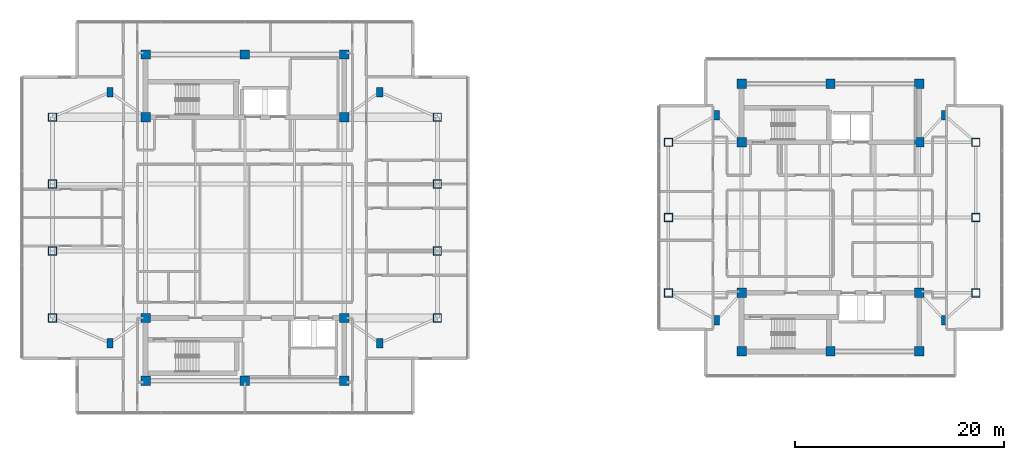
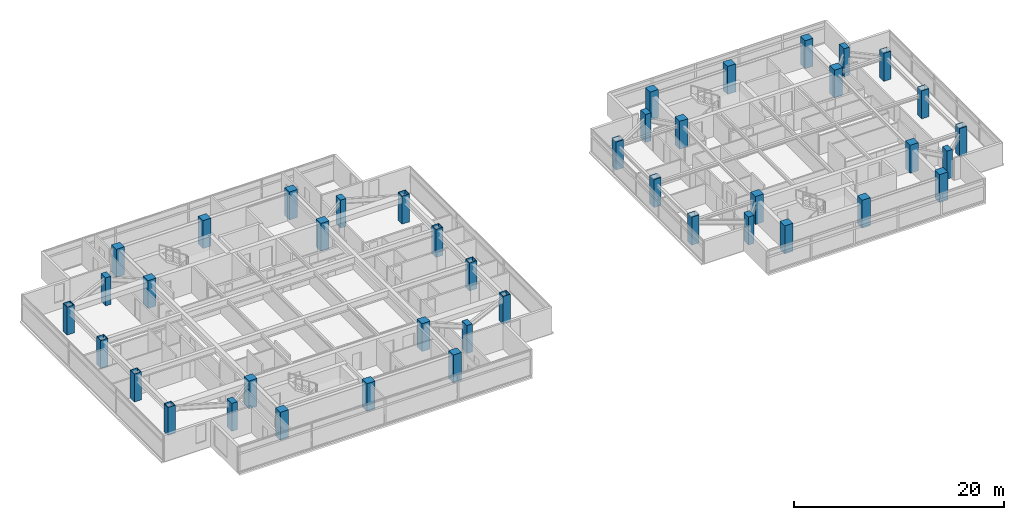
# One storey, part 1 of 21: 42 columns.
"""IFC4 building model written with IfcOpenShell, lengths in metres."""

from ifc_helpers import new_model, si_unit, direction, frame, origin, origin_2d, place, context, subcontext, project, spatial, rectangle, hollow_rectangle, extrude, material, material_profile, profile_set, type_object, element, save


model = new_model("IFC4")

# Units and contexts
model_context = context("Model", 3, precision=1e-05, world=origin(), true_north=direction((0.0, 1.0)))
body_context = subcontext(model_context, "Body", "Model", "MODEL_VIEW")
ifc_project = project(units=[si_unit("LENGTHUNIT", "METRE"), si_unit("AREAUNIT", "SQUARE_METRE"), si_unit("VOLUMEUNIT", "CUBIC_METRE"), si_unit("PLANEANGLEUNIT", "RADIAN"), si_unit("MASSUNIT", "GRAM", prefix="KILO")], contexts=[model_context])

# Site, building, storey
site_placement = place(None, origin())
site = spatial("IfcSite", under=ifc_project, at=site_placement, CompositionType="ELEMENT")
building_placement = place(site_placement, origin())
building = spatial("IfcBuilding", under=site, at=building_placement, Name="Mirazonda Arch Towers", CompositionType="ELEMENT")
storey_placement = place(building_placement, frame((0.0, 0.0, 206.39990234375)))
storey = spatial("IfcBuildingStorey", under=building, at=storey_placement, Name="L59", CompositionType="ELEMENT", Elevation=206.39990234375)

# Columns
ifc_material_1 = material(Name="Concrete C50/60", Category="concrete")
ifc_material_profile_1 = material_profile(ifc_material_1, rectangle(XDim=0.89990234375, YDim=0.89990234375, at=origin_2d()), Name="RC900x900")
ifc_profile_set_1 = profile_set([ifc_material_profile_1], Name="Concrete C50/60")
column_type_1 = type_object("IfcColumnType", Name="COL-INT-RC900x900", PredefinedType="COLUMN", material=ifc_profile_set_1)
for number, where, z_axis, x_axis, name in (
    (1, (11.0, 12.39990234375, 0.0), (0.0, 0.0, 1.0), (1.0, 0.0, 0.0), "L59 T1 Core Column 01"),
    (2, (20.5, 12.39990234375, 0.0), (0.0, 0.0, 1.0), (1.0, 0.0, 0.0), "L59 T1 Core Column 02"),
    (3, (30.0, 12.39990234375, 0.0), (0.0, 0.0, 1.0), (1.0, 0.0, 0.0), "L59 T1 Core Column 03"),
    (4, (11.0, 18.39990234375, 0.0), (0.0, 0.0, 1.0), (1.0, 0.0, 0.0), "L59 T1 Core Column 04"),
    (5, (30.0, 18.39990234375, 0.0), (0.0, 0.0, 1.0), (1.0, 0.0, 0.0), "L59 T1 Core Column 05"),
    (6, (11.0, 37.60009765625, 0.0), (0.0, 0.0, 1.0), (1.0, 0.0, 0.0), "L59 T1 Core Column 06"),
    (7, (30.0, 37.60009765625, 0.0), (0.0, 0.0, 1.0), (1.0, 0.0, 0.0), "L59 T1 Core Column 07"),
    (8, (11.0, 43.60009765625, 0.0), (0.0, 0.0, 1.0), (1.0, 0.0, 0.0), "L59 T1 Core Column 08"),
    (9, (20.5, 43.60009765625, 0.0), (0.0, 0.0, 1.0), (1.0, 0.0, 0.0), "L59 T1 Core Column 09"),
    (10, (30.0, 43.60009765625, 0.0), (0.0, 0.0, 1.0), (1.0, 0.0, 0.0), "L59 T1 Core Column 10"),
    (11, (68.0, 15.199951171875, 0.0), (0.0, 0.0, 1.0), (1.0, 0.0, 0.0), "L59 T2 Core Column 01"),
    (12, (76.5, 15.199951171875, 0.0), (0.0, 0.0, 1.0), (1.0, 0.0, 0.0), "L59 T2 Core Column 02"),
    (13, (85.0, 15.199951171875, 0.0), (0.0, 0.0, 1.0), (1.0, 0.0, 0.0), "L59 T2 Core Column 03"),
    (14, (68.0, 20.800048828125, 0.0), (0.0, 0.0, 1.0), (1.0, 0.0, 0.0), "L59 T2 Core Column 04"),
    (15, (85.0, 20.800048828125, 0.0), (0.0, 0.0, 1.0), (1.0, 0.0, 0.0), "L59 T2 Core Column 05"),
    (16, (68.0, 35.199951171875, 0.0), (0.0, 0.0, 1.0), (1.0, 0.0, 0.0), "L59 T2 Core Column 06"),
    (17, (85.0, 35.199951171875, 0.0), (0.0, 0.0, 1.0), (1.0, 0.0, 0.0), "L59 T2 Core Column 07"),
    (18, (68.0, 40.800048828125, 0.0), (0.0, 0.0, 1.0), (1.0, 0.0, 0.0), "L59 T2 Core Column 08"),
    (19, (76.5, 40.800048828125, 0.0), (0.0, 0.0, 1.0), (1.0, 0.0, 0.0), "L59 T2 Core Column 09"),
    (20, (85.0, 40.800048828125, 0.0), (0.0, 0.0, 1.0), (1.0, 0.0, 0.0), "L59 T2 Core Column 10"),
):
    element("IfcColumn", number, at=place(storey_placement, frame(where, z_axis=z_axis, x_axis=x_axis)), inside=storey, type_object=column_type_1, Name=name, PredefinedType="COLUMN", context=body_context, shape_type="SweptSolid", body=[
        extrude(rectangle(XDim=0.89990234375, YDim=0.89990234375, at=origin_2d()), origin(), (0.0, 0.0, 1.0), 3.25),
    ])
ifc_material_2 = material(Name="Steel ASTM A572 Grade 50", Category="steel")
ifc_material_profile_2 = material_profile(ifc_material_2, hollow_rectangle(XDim=0.800048828125, YDim=0.800048828125, WallThickness=0.044921875, at=origin_2d()), Name="BOX800x800x45")
ifc_profile_set_2 = profile_set([ifc_material_profile_2], Name="Steel ASTM A572 Grade 50")
column_type_2 = type_object("IfcColumnType", Name="MCOL-EXT-BOX800x800x45", PredefinedType="COLUMN", material=ifc_profile_set_2)
for number, where, z_axis, x_axis, name in (
    (21, (2.10009765625, 18.39990234375, 0.0), (0.0, 0.0, 1.0), (1.0, 0.0, 0.0), "L59 T1 Composite Mega-Column 01"),
    (22, (2.10009765625, 24.800048828125, 0.0), (0.0, 0.0, 1.0), (1.0, 0.0, 0.0), "L59 T1 Composite Mega-Column 02"),
    (23, (2.10009765625, 31.199951171875, 0.0), (0.0, 0.0, 1.0), (1.0, 0.0, 0.0), "L59 T1 Composite Mega-Column 03"),
    (24, (2.10009765625, 37.60009765625, 0.0), (0.0, 0.0, 1.0), (1.0, 0.0, 0.0), "L59 T1 Composite Mega-Column 04"),
    (25, (38.89990234375, 18.39990234375, 0.0), (0.0, 0.0, 1.0), (1.0, 0.0, 0.0), "L59 T1 Composite Mega-Column 05"),
    (26, (38.89990234375, 24.800048828125, 0.0), (0.0, 0.0, 1.0), (1.0, 0.0, 0.0), "L59 T1 Composite Mega-Column 06"),
    (27, (38.89990234375, 31.199951171875, 0.0), (0.0, 0.0, 1.0), (1.0, 0.0, 0.0), "L59 T1 Composite Mega-Column 07"),
    (28, (38.89990234375, 37.60009765625, 0.0), (0.0, 0.0, 1.0), (1.0, 0.0, 0.0), "L59 T1 Composite Mega-Column 08"),
    (29, (61.0, 20.800048828125, 0.0), (0.0, 0.0, 1.0), (1.0, 0.0, 0.0), "L59 T2 Composite Mega-Column 01"),
    (30, (61.0, 28.0, 0.0), (0.0, 0.0, 1.0), (1.0, 0.0, 0.0), "L59 T2 Composite Mega-Column 02"),
    (31, (61.0, 35.199951171875, 0.0), (0.0, 0.0, 1.0), (1.0, 0.0, 0.0), "L59 T2 Composite Mega-Column 03"),
    (32, (90.39990234375, 20.800048828125, 0.0), (0.0, 0.0, 1.0), (1.0, 0.0, 0.0), "L59 T2 Composite Mega-Column 04"),
    (33, (90.39990234375, 28.0, 0.0), (0.0, 0.0, 1.0), (1.0, 0.0, 0.0), "L59 T2 Composite Mega-Column 05"),
    (34, (90.39990234375, 35.199951171875, 0.0), (0.0, 0.0, 1.0), (1.0, 0.0, 0.0), "L59 T2 Composite Mega-Column 06"),
):
    element("IfcColumn", number, at=place(storey_placement, frame(where, z_axis=z_axis, x_axis=x_axis)), inside=storey, type_object=column_type_2, Name=name, PredefinedType="COLUMN", context=body_context, shape_type="SweptSolid", body=[
        extrude(hollow_rectangle(XDim=0.800048828125, YDim=0.800048828125, WallThickness=0.044921875, at=origin_2d()), origin(), (0.0, 0.0, 1.0), 3.25),
    ])
ifc_material_profile_3 = material_profile(ifc_material_1, rectangle(XDim=0.60009765625, YDim=0.89990234375, at=origin_2d()), Name="RC900x600")
ifc_profile_set_3 = profile_set([ifc_material_profile_3], Name="Concrete C50/60")
column_type_3 = type_object("IfcColumnType", Name="PIL-EXT-RC900x600", PredefinedType="PILASTER", material=ifc_profile_set_3)
for number, where, z_axis, x_axis, name in (
    (35, (7.60009765625, 16.0, 0.0), (0.0, 0.0, 1.0), (1.0, 0.0, 0.0), "L59 T1 Corner Pilaster 01"),
    (36, (33.39990234375, 16.0, 0.0), (0.0, 0.0, 1.0), (1.0, 0.0, 0.0), "L59 T1 Corner Pilaster 02"),
    (37, (7.60009765625, 40.0, 0.0), (0.0, 0.0, 1.0), (1.0, 0.0, 0.0), "L59 T1 Corner Pilaster 03"),
    (38, (33.39990234375, 40.0, 0.0), (0.0, 0.0, 1.0), (1.0, 0.0, 0.0), "L59 T1 Corner Pilaster 04"),
    (39, (65.60009765625, 18.199951171875, 0.0), (0.0, 0.0, 1.0), (1.0, 0.0, 0.0), "L59 T2 Corner Pilaster 01"),
    (40, (87.39990234375, 18.199951171875, 0.0), (0.0, 0.0, 1.0), (1.0, 0.0, 0.0), "L59 T2 Corner Pilaster 02"),
    (41, (65.60009765625, 37.800048828125, 0.0), (0.0, 0.0, 1.0), (1.0, 0.0, 0.0), "L59 T2 Corner Pilaster 03"),
    (42, (87.39990234375, 37.800048828125, 0.0), (0.0, 0.0, 1.0), (1.0, 0.0, 0.0), "L59 T2 Corner Pilaster 04"),
):
    element("IfcColumn", number, at=place(storey_placement, frame(where, z_axis=z_axis, x_axis=x_axis)), inside=storey, type_object=column_type_3, Name=name, PredefinedType="PILASTER", context=body_context, shape_type="SweptSolid", body=[
        extrude(rectangle(XDim=0.60009765625, YDim=0.89990234375, at=origin_2d()), origin(), (0.0, 0.0, 1.0), 3.25),
    ])

save(model, "model.ifc")
